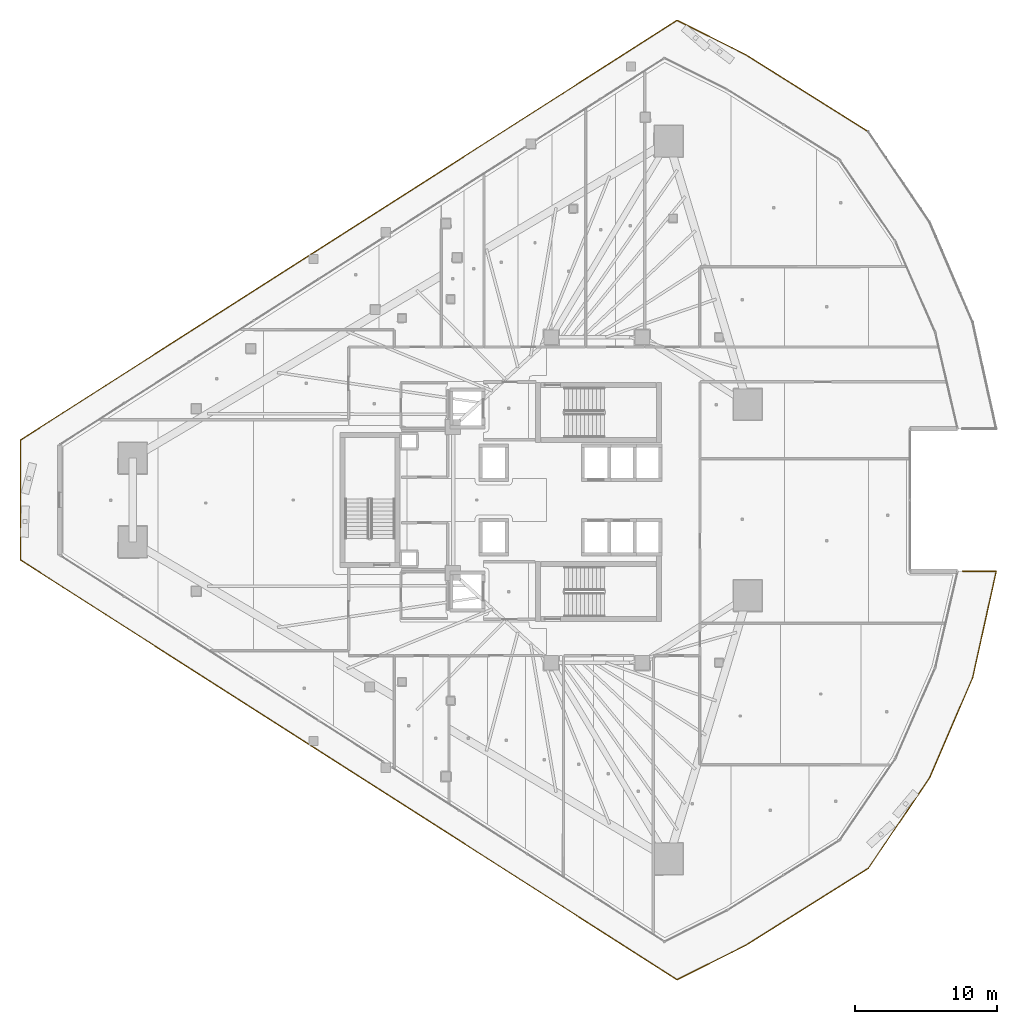
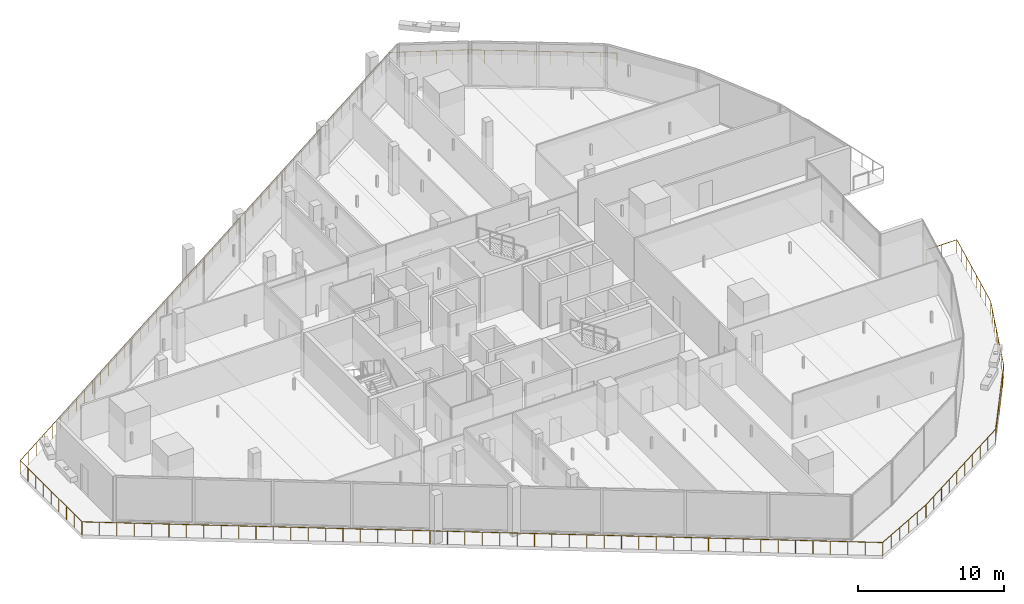
# One storey, part 41 of 45: 1 railing.
"""IFC4 building model written with IfcOpenShell, lengths in metres."""

from ifc_helpers import new_model, si_unit, direction, frame, origin, origin_2d, place, context, subcontext, project, spatial, circle, extrude, material, type_object, element, save


model = new_model("IFC4")

# Units and contexts
model_context = context("Model", 3, precision=1e-05, world=origin(), true_north=direction((0.0, 1.0)))
body_context = subcontext(model_context, "Body", "Model", "MODEL_VIEW")
ifc_project = project(units=[si_unit("LENGTHUNIT", "METRE"), si_unit("AREAUNIT", "SQUARE_METRE"), si_unit("VOLUMEUNIT", "CUBIC_METRE"), si_unit("PLANEANGLEUNIT", "RADIAN"), si_unit("MASSUNIT", "GRAM", prefix="KILO")], contexts=[model_context])

# Site, building, storey
site_placement = place(None, origin())
site = spatial("IfcSite", under=ifc_project, at=site_placement, CompositionType="ELEMENT")
building_placement = place(site_placement, origin())
building = spatial("IfcBuilding", under=site, at=building_placement, Name="Qorvath Tower", CompositionType="ELEMENT")
storey_placement = place(building_placement, frame((0.0, 0.0, 109.800048828125)))
storey = spatial("IfcBuildingStorey", under=building, at=storey_placement, Name="L24", CompositionType="ELEMENT", Elevation=109.800048828125)

# Railing
ifc_material = material(Name="Laminated safety glass and stainless steel AISI 316", Category="steel")
railing_type = type_object("IfcRailingType", Name="RL-EXT-GRD", PredefinedType="GUARDRAIL", material=ifc_material)
railing_placement = place(storey_placement, frame((5.339111328125, -5.01123046875, 0.0)))
element("IfcRailing", 1, at=railing_placement, inside=storey, type_object=railing_type, Name="Loggia Perimeter Guardrail L24-1.2", PredefinedType="GUARDRAIL", context=body_context, shape_type="SweptSolid", body=[
    extrude(circle(Radius=0.02392578125, at=origin_2d()), frame((0.0, 0.0, 1.09619140625), z_axis=(1.0, 0.0, 0.0), x_axis=(0.0, 1.0, 0.0)), (0.0, 0.0, 1.0), 2.366455078125),
    extrude(circle(Radius=0.02392578125, at=origin_2d()), frame((2.366455078125, 0.0, 1.09619140625), z_axis=(-0.216088212472, -0.976373844606, 0.0), x_axis=(0.976373844606, -0.216088212472, 0.0)), (0.0, 0.0, 1.0), 7.673828125),
    extrude(circle(Radius=0.02392578125, at=origin_2d()), frame((0.708251953125, -7.492431640625, 1.09619140625), z_axis=(-0.395466178511, -0.918480539616, 0.0), x_axis=(0.918480539616, -0.395466178511, 0.0)), (0.0, 0.0, 1.0), 7.673583984375),
    extrude(circle(Radius=0.02392578125, at=origin_2d()), frame((-2.326416015625, -14.54052734375, 1.09619140625), z_axis=(-0.560822820527, -0.827935845326, 0.0), x_axis=(0.827935845326, -0.560822820527, 0.0)), (0.0, 0.0, 1.0), 7.673828125),
    extrude(circle(Radius=0.02392578125, at=origin_2d()), frame((-6.630126953125, -20.89404296875, 1.09619140625), z_axis=(-0.84650840293, -0.532375359844, 0.0), x_axis=(0.532375359844, -0.84650840293, 0.0)), (0.0, 0.0, 1.0), 10.20458984375),
    extrude(circle(Radius=0.02392578125, at=origin_2d()), frame((-15.268310546875, -26.32666015625, 1.09619140625), z_axis=(-0.894427191, -0.4472135955, 0.0), x_axis=(0.4472135955, -0.894427191, 0.0)), (0.0, 0.0, 1.0), 5.390380859375),
    extrude(circle(Radius=0.02392578125, at=origin_2d()), frame((-20.089599609375, -28.7373046875, 1.09619140625), z_axis=(-0.84260349441, 0.53853444756, 0.0), x_axis=(-0.53853444756, -0.84260349441, 0.0)), (0.0, 0.0, 1.0), 54.833984375),
    extrude(circle(Radius=0.02392578125, at=origin_2d()), frame((-66.29296875, 0.792724609375, 1.09619140625), z_axis=(0.0, 1.0, 0.0), x_axis=(-1.0, 0.0, 0.0)), (0.0, 0.0, 1.0), 8.43701171875),
    extrude(circle(Radius=0.02392578125, at=origin_2d()), frame((-66.29296875, 9.229736328125, 1.09619140625), z_axis=(0.84260349441, 0.53853444756, 0.0), x_axis=(-0.53853444756, 0.84260349441, 0.0)), (0.0, 0.0, 1.0), 54.833984375),
    extrude(circle(Radius=0.02392578125, at=origin_2d()), frame((-20.089599609375, 38.759765625, 1.09619140625), z_axis=(0.894427191, -0.4472135955, 0.0), x_axis=(0.4472135955, 0.894427191, 0.0)), (0.0, 0.0, 1.0), 5.390380859375),
    extrude(circle(Radius=0.02392578125, at=origin_2d()), frame((-15.268310546875, 36.34912109375, 1.09619140625), z_axis=(0.84650840293, -0.532375359844, 0.0), x_axis=(0.532375359844, 0.84650840293, 0.0)), (0.0, 0.0, 1.0), 10.20458984375),
    extrude(circle(Radius=0.02099609375, at=origin_2d()), origin(), (0.0, 0.0, 1.0), 1.072021484375),
    extrude(circle(Radius=0.02099609375, at=origin_2d()), frame((1.18310546875, 0.0, 0.0)), (0.0, 0.0, 1.0), 1.072021484375),
    extrude(circle(Radius=0.02099609375, at=origin_2d()), frame((2.366455078125, 0.0, 0.0)), (0.0, 0.0, 1.0), 1.072021484375),
    extrude(circle(Radius=0.02099609375, at=origin_2d()), frame((2.129638671875, -1.0703125, 0.0)), (0.0, 0.0, 1.0), 1.072021484375),
    extrude(circle(Radius=0.02099609375, at=origin_2d()), frame((1.892578125, -2.140625, 0.0)), (0.0, 0.0, 1.0), 1.072021484375),
    extrude(circle(Radius=0.02099609375, at=origin_2d()), frame((1.65576171875, -3.2109375, 0.0)), (0.0, 0.0, 1.0), 1.072021484375),
    extrude(circle(Radius=0.02099609375, at=origin_2d()), frame((1.4189453125, -4.281494140625, 0.0)), (0.0, 0.0, 1.0), 1.072021484375),
    extrude(circle(Radius=0.02099609375, at=origin_2d()), frame((1.18212890625, -5.351806640625, 0.0)), (0.0, 0.0, 1.0), 1.072021484375),
    extrude(circle(Radius=0.02099609375, at=origin_2d()), frame((0.945068359375, -6.422119140625, 0.0)), (0.0, 0.0, 1.0), 1.072021484375),
    extrude(circle(Radius=0.02099609375, at=origin_2d()), frame((0.708251953125, -7.492431640625, 0.0)), (0.0, 0.0, 1.0), 1.072021484375),
    extrude(circle(Radius=0.02099609375, at=origin_2d()), frame((0.274658203125, -8.499267578125, 0.0)), (0.0, 0.0, 1.0), 1.072021484375),
    extrude(circle(Radius=0.02099609375, at=origin_2d()), frame((-0.15869140625, -9.506103515625, 0.0)), (0.0, 0.0, 1.0), 1.072021484375),
    extrude(circle(Radius=0.02099609375, at=origin_2d()), frame((-0.59228515625, -10.512939453125, 0.0)), (0.0, 0.0, 1.0), 1.072021484375),
    extrude(circle(Radius=0.02099609375, at=origin_2d()), frame((-1.02587890625, -11.52001953125, 0.0)), (0.0, 0.0, 1.0), 1.072021484375),
    extrude(circle(Radius=0.02099609375, at=origin_2d()), frame((-1.45947265625, -12.52685546875, 0.0)), (0.0, 0.0, 1.0), 1.072021484375),
    extrude(circle(Radius=0.02099609375, at=origin_2d()), frame((-1.892822265625, -13.53369140625, 0.0)), (0.0, 0.0, 1.0), 1.072021484375),
    extrude(circle(Radius=0.02099609375, at=origin_2d()), frame((-2.326416015625, -14.54052734375, 0.0)), (0.0, 0.0, 1.0), 1.072021484375),
    extrude(circle(Radius=0.02099609375, at=origin_2d()), frame((-2.941162109375, -15.4482421875, 0.0)), (0.0, 0.0, 1.0), 1.072021484375),
    extrude(circle(Radius=0.02099609375, at=origin_2d()), frame((-3.55615234375, -16.355712890625, 0.0)), (0.0, 0.0, 1.0), 1.072021484375),
    extrude(circle(Radius=0.02099609375, at=origin_2d()), frame((-4.1708984375, -17.263427734375, 0.0)), (0.0, 0.0, 1.0), 1.072021484375),
    extrude(circle(Radius=0.02099609375, at=origin_2d()), frame((-4.78564453125, -18.171142578125, 0.0)), (0.0, 0.0, 1.0), 1.072021484375),
    extrude(circle(Radius=0.02099609375, at=origin_2d()), frame((-5.400390625, -19.078857421875, 0.0)), (0.0, 0.0, 1.0), 1.072021484375),
    extrude(circle(Radius=0.02099609375, at=origin_2d()), frame((-6.015380859375, -19.986328125, 0.0)), (0.0, 0.0, 1.0), 1.072021484375),
    extrude(circle(Radius=0.02099609375, at=origin_2d()), frame((-6.630126953125, -20.89404296875, 0.0)), (0.0, 0.0, 1.0), 1.072021484375),
    extrude(circle(Radius=0.02099609375, at=origin_2d()), frame((-7.58984375, -21.49755859375, 0.0)), (0.0, 0.0, 1.0), 1.072021484375),
    extrude(circle(Radius=0.02099609375, at=origin_2d()), frame((-8.5498046875, -22.101318359375, 0.0)), (0.0, 0.0, 1.0), 1.072021484375),
    extrude(circle(Radius=0.02099609375, at=origin_2d()), frame((-9.509521484375, -22.704833984375, 0.0)), (0.0, 0.0, 1.0), 1.072021484375),
    extrude(circle(Radius=0.02099609375, at=origin_2d()), frame((-10.46923828125, -23.30859375, 0.0)), (0.0, 0.0, 1.0), 1.072021484375),
    extrude(circle(Radius=0.02099609375, at=origin_2d()), frame((-11.42919921875, -23.912109375, 0.0)), (0.0, 0.0, 1.0), 1.072021484375),
    extrude(circle(Radius=0.02099609375, at=origin_2d()), frame((-12.388916015625, -24.515869140625, 0.0)), (0.0, 0.0, 1.0), 1.072021484375),
    extrude(circle(Radius=0.02099609375, at=origin_2d()), frame((-13.3486328125, -25.119384765625, 0.0)), (0.0, 0.0, 1.0), 1.072021484375),
    extrude(circle(Radius=0.02099609375, at=origin_2d()), frame((-14.30859375, -25.72314453125, 0.0)), (0.0, 0.0, 1.0), 1.072021484375),
    extrude(circle(Radius=0.02099609375, at=origin_2d()), frame((-15.268310546875, -26.32666015625, 0.0)), (0.0, 0.0, 1.0), 1.072021484375),
    extrude(circle(Radius=0.02099609375, at=origin_2d()), frame((-16.232666015625, -26.808837890625, 0.0)), (0.0, 0.0, 1.0), 1.072021484375),
    extrude(circle(Radius=0.02099609375, at=origin_2d()), frame((-17.19677734375, -27.291015625, 0.0)), (0.0, 0.0, 1.0), 1.072021484375),
    extrude(circle(Radius=0.02099609375, at=origin_2d()), frame((-18.1611328125, -27.77294921875, 0.0)), (0.0, 0.0, 1.0), 1.072021484375),
    extrude(circle(Radius=0.02099609375, at=origin_2d()), frame((-19.125244140625, -28.255126953125, 0.0)), (0.0, 0.0, 1.0), 1.072021484375),
    extrude(circle(Radius=0.02099609375, at=origin_2d()), frame((-20.089599609375, -28.7373046875, 0.0)), (0.0, 0.0, 1.0), 1.072021484375),
    extrude(circle(Radius=0.02099609375, at=origin_2d()), frame((-21.093994140625, -28.095458984375, 0.0)), (0.0, 0.0, 1.0), 1.072021484375),
    extrude(circle(Radius=0.02099609375, at=origin_2d()), frame((-22.098388671875, -27.453369140625, 0.0)), (0.0, 0.0, 1.0), 1.072021484375),
    extrude(circle(Radius=0.02099609375, at=origin_2d()), frame((-23.102783203125, -26.8115234375, 0.0)), (0.0, 0.0, 1.0), 1.072021484375),
    extrude(circle(Radius=0.02099609375, at=origin_2d()), frame((-24.107177734375, -26.16943359375, 0.0)), (0.0, 0.0, 1.0), 1.072021484375),
    extrude(circle(Radius=0.02099609375, at=origin_2d()), frame((-25.11181640625, -25.527587890625, 0.0)), (0.0, 0.0, 1.0), 1.072021484375),
    extrude(circle(Radius=0.02099609375, at=origin_2d()), frame((-26.1162109375, -24.885498046875, 0.0)), (0.0, 0.0, 1.0), 1.072021484375),
    extrude(circle(Radius=0.02099609375, at=origin_2d()), frame((-27.12060546875, -24.24365234375, 0.0)), (0.0, 0.0, 1.0), 1.072021484375),
    extrude(circle(Radius=0.02099609375, at=origin_2d()), frame((-28.125, -23.6015625, 0.0)), (0.0, 0.0, 1.0), 1.072021484375),
    extrude(circle(Radius=0.02099609375, at=origin_2d()), frame((-29.12939453125, -22.959716796875, 0.0)), (0.0, 0.0, 1.0), 1.072021484375),
    extrude(circle(Radius=0.02099609375, at=origin_2d()), frame((-30.1337890625, -22.317626953125, 0.0)), (0.0, 0.0, 1.0), 1.072021484375),
    extrude(circle(Radius=0.02099609375, at=origin_2d()), frame((-31.13818359375, -21.67578125, 0.0)), (0.0, 0.0, 1.0), 1.072021484375),
    extrude(circle(Radius=0.02099609375, at=origin_2d()), frame((-32.142578125, -21.033935546875, 0.0)), (0.0, 0.0, 1.0), 1.072021484375),
    extrude(circle(Radius=0.02099609375, at=origin_2d()), frame((-33.14697265625, -20.391845703125, 0.0)), (0.0, 0.0, 1.0), 1.072021484375),
    extrude(circle(Radius=0.02099609375, at=origin_2d()), frame((-34.151611328125, -19.75, 0.0)), (0.0, 0.0, 1.0), 1.072021484375),
    extrude(circle(Radius=0.02099609375, at=origin_2d()), frame((-35.156005859375, -19.10791015625, 0.0)), (0.0, 0.0, 1.0), 1.072021484375),
    extrude(circle(Radius=0.02099609375, at=origin_2d()), frame((-36.160400390625, -18.466064453125, 0.0)), (0.0, 0.0, 1.0), 1.072021484375),
    extrude(circle(Radius=0.02099609375, at=origin_2d()), frame((-37.164794921875, -17.823974609375, 0.0)), (0.0, 0.0, 1.0), 1.072021484375),
    extrude(circle(Radius=0.02099609375, at=origin_2d()), frame((-38.169189453125, -17.18212890625, 0.0)), (0.0, 0.0, 1.0), 1.072021484375),
    extrude(circle(Radius=0.02099609375, at=origin_2d()), frame((-39.173583984375, -16.5400390625, 0.0)), (0.0, 0.0, 1.0), 1.072021484375),
    extrude(circle(Radius=0.02099609375, at=origin_2d()), frame((-40.177978515625, -15.898193359375, 0.0)), (0.0, 0.0, 1.0), 1.072021484375),
    extrude(circle(Radius=0.02099609375, at=origin_2d()), frame((-41.182373046875, -15.256103515625, 0.0)), (0.0, 0.0, 1.0), 1.072021484375),
    extrude(circle(Radius=0.02099609375, at=origin_2d()), frame((-42.186767578125, -14.6142578125, 0.0)), (0.0, 0.0, 1.0), 1.072021484375),
    extrude(circle(Radius=0.02099609375, at=origin_2d()), frame((-43.19140625, -13.97216796875, 0.0)), (0.0, 0.0, 1.0), 1.072021484375),
    extrude(circle(Radius=0.02099609375, at=origin_2d()), frame((-44.19580078125, -13.330322265625, 0.0)), (0.0, 0.0, 1.0), 1.072021484375),
    extrude(circle(Radius=0.02099609375, at=origin_2d()), frame((-45.2001953125, -12.6884765625, 0.0)), (0.0, 0.0, 1.0), 1.072021484375),
    extrude(circle(Radius=0.02099609375, at=origin_2d()), frame((-46.20458984375, -12.04638671875, 0.0)), (0.0, 0.0, 1.0), 1.072021484375),
    extrude(circle(Radius=0.02099609375, at=origin_2d()), frame((-47.208984375, -11.404541015625, 0.0)), (0.0, 0.0, 1.0), 1.072021484375),
    extrude(circle(Radius=0.02099609375, at=origin_2d()), frame((-48.21337890625, -10.762451171875, 0.0)), (0.0, 0.0, 1.0), 1.072021484375),
    extrude(circle(Radius=0.02099609375, at=origin_2d()), frame((-49.2177734375, -10.12060546875, 0.0)), (0.0, 0.0, 1.0), 1.072021484375),
    extrude(circle(Radius=0.02099609375, at=origin_2d()), frame((-50.22216796875, -9.478515625, 0.0)), (0.0, 0.0, 1.0), 1.072021484375),
    extrude(circle(Radius=0.02099609375, at=origin_2d()), frame((-51.2265625, -8.836669921875, 0.0)), (0.0, 0.0, 1.0), 1.072021484375),
    extrude(circle(Radius=0.02099609375, at=origin_2d()), frame((-52.23095703125, -8.194580078125, 0.0)), (0.0, 0.0, 1.0), 1.072021484375),
    extrude(circle(Radius=0.02099609375, at=origin_2d()), frame((-53.235595703125, -7.552734375, 0.0)), (0.0, 0.0, 1.0), 1.072021484375),
    extrude(circle(Radius=0.02099609375, at=origin_2d()), frame((-54.239990234375, -6.91064453125, 0.0)), (0.0, 0.0, 1.0), 1.072021484375),
    extrude(circle(Radius=0.02099609375, at=origin_2d()), frame((-55.244384765625, -6.268798828125, 0.0)), (0.0, 0.0, 1.0), 1.072021484375),
    extrude(circle(Radius=0.02099609375, at=origin_2d()), frame((-56.248779296875, -5.626953125, 0.0)), (0.0, 0.0, 1.0), 1.072021484375),
    extrude(circle(Radius=0.02099609375, at=origin_2d()), frame((-57.253173828125, -4.98486328125, 0.0)), (0.0, 0.0, 1.0), 1.072021484375),
    extrude(circle(Radius=0.02099609375, at=origin_2d()), frame((-58.257568359375, -4.343017578125, 0.0)), (0.0, 0.0, 1.0), 1.072021484375),
    extrude(circle(Radius=0.02099609375, at=origin_2d()), frame((-59.261962890625, -3.700927734375, 0.0)), (0.0, 0.0, 1.0), 1.072021484375),
    extrude(circle(Radius=0.02099609375, at=origin_2d()), frame((-60.266357421875, -3.05908203125, 0.0)), (0.0, 0.0, 1.0), 1.072021484375),
    extrude(circle(Radius=0.02099609375, at=origin_2d()), frame((-61.270751953125, -2.4169921875, 0.0)), (0.0, 0.0, 1.0), 1.072021484375),
    extrude(circle(Radius=0.02099609375, at=origin_2d()), frame((-62.275390625, -1.775146484375, 0.0)), (0.0, 0.0, 1.0), 1.072021484375),
    extrude(circle(Radius=0.02099609375, at=origin_2d()), frame((-63.27978515625, -1.133056640625, 0.0)), (0.0, 0.0, 1.0), 1.072021484375),
    extrude(circle(Radius=0.02099609375, at=origin_2d()), frame((-64.2841796875, -0.4912109375, 0.0)), (0.0, 0.0, 1.0), 1.072021484375),
    extrude(circle(Radius=0.02099609375, at=origin_2d()), frame((-65.28857421875, 0.15087890625, 0.0)), (0.0, 0.0, 1.0), 1.072021484375),
    extrude(circle(Radius=0.02099609375, at=origin_2d()), frame((-66.29296875, 0.792724609375, 0.0)), (0.0, 0.0, 1.0), 1.072021484375),
    extrude(circle(Radius=0.02099609375, at=origin_2d()), frame((-66.29296875, 1.847412109375, 0.0)), (0.0, 0.0, 1.0), 1.072021484375),
    extrude(circle(Radius=0.02099609375, at=origin_2d()), frame((-66.29296875, 2.90185546875, 0.0)), (0.0, 0.0, 1.0), 1.072021484375),
    extrude(circle(Radius=0.02099609375, at=origin_2d()), frame((-66.29296875, 3.95654296875, 0.0)), (0.0, 0.0, 1.0), 1.072021484375),
    extrude(circle(Radius=0.02099609375, at=origin_2d()), frame((-66.29296875, 5.01123046875, 0.0)), (0.0, 0.0, 1.0), 1.072021484375),
    extrude(circle(Radius=0.02099609375, at=origin_2d()), frame((-66.29296875, 6.06591796875, 0.0)), (0.0, 0.0, 1.0), 1.072021484375),
    extrude(circle(Radius=0.02099609375, at=origin_2d()), frame((-66.29296875, 7.12060546875, 0.0)), (0.0, 0.0, 1.0), 1.072021484375),
    extrude(circle(Radius=0.02099609375, at=origin_2d()), frame((-66.29296875, 8.175048828125, 0.0)), (0.0, 0.0, 1.0), 1.072021484375),
    extrude(circle(Radius=0.02099609375, at=origin_2d()), frame((-66.29296875, 9.229736328125, 0.0)), (0.0, 0.0, 1.0), 1.072021484375),
    extrude(circle(Radius=0.02099609375, at=origin_2d()), frame((-65.28857421875, 9.87158203125, 0.0)), (0.0, 0.0, 1.0), 1.072021484375),
    extrude(circle(Radius=0.02099609375, at=origin_2d()), frame((-64.2841796875, 10.513671875, 0.0)), (0.0, 0.0, 1.0), 1.072021484375),
    extrude(circle(Radius=0.02099609375, at=origin_2d()), frame((-63.27978515625, 11.155517578125, 0.0)), (0.0, 0.0, 1.0), 1.072021484375),
    extrude(circle(Radius=0.02099609375, at=origin_2d()), frame((-62.275390625, 11.797607421875, 0.0)), (0.0, 0.0, 1.0), 1.072021484375),
    extrude(circle(Radius=0.02099609375, at=origin_2d()), frame((-61.270751953125, 12.439453125, 0.0)), (0.0, 0.0, 1.0), 1.072021484375),
    extrude(circle(Radius=0.02099609375, at=origin_2d()), frame((-60.266357421875, 13.08154296875, 0.0)), (0.0, 0.0, 1.0), 1.072021484375),
    extrude(circle(Radius=0.02099609375, at=origin_2d()), frame((-59.261962890625, 13.723388671875, 0.0)), (0.0, 0.0, 1.0), 1.072021484375),
    extrude(circle(Radius=0.02099609375, at=origin_2d()), frame((-58.257568359375, 14.365478515625, 0.0)), (0.0, 0.0, 1.0), 1.072021484375),
    extrude(circle(Radius=0.02099609375, at=origin_2d()), frame((-57.253173828125, 15.00732421875, 0.0)), (0.0, 0.0, 1.0), 1.072021484375),
    extrude(circle(Radius=0.02099609375, at=origin_2d()), frame((-56.248779296875, 15.6494140625, 0.0)), (0.0, 0.0, 1.0), 1.072021484375),
    extrude(circle(Radius=0.02099609375, at=origin_2d()), frame((-55.244384765625, 16.291259765625, 0.0)), (0.0, 0.0, 1.0), 1.072021484375),
    extrude(circle(Radius=0.02099609375, at=origin_2d()), frame((-54.239990234375, 16.93310546875, 0.0)), (0.0, 0.0, 1.0), 1.072021484375),
    extrude(circle(Radius=0.02099609375, at=origin_2d()), frame((-53.235595703125, 17.5751953125, 0.0)), (0.0, 0.0, 1.0), 1.072021484375),
    extrude(circle(Radius=0.02099609375, at=origin_2d()), frame((-52.23095703125, 18.217041015625, 0.0)), (0.0, 0.0, 1.0), 1.072021484375),
    extrude(circle(Radius=0.02099609375, at=origin_2d()), frame((-51.2265625, 18.859130859375, 0.0)), (0.0, 0.0, 1.0), 1.072021484375),
    extrude(circle(Radius=0.02099609375, at=origin_2d()), frame((-50.22216796875, 19.5009765625, 0.0)), (0.0, 0.0, 1.0), 1.072021484375),
    extrude(circle(Radius=0.02099609375, at=origin_2d()), frame((-49.2177734375, 20.14306640625, 0.0)), (0.0, 0.0, 1.0), 1.072021484375),
    extrude(circle(Radius=0.02099609375, at=origin_2d()), frame((-48.21337890625, 20.784912109375, 0.0)), (0.0, 0.0, 1.0), 1.072021484375),
    extrude(circle(Radius=0.02099609375, at=origin_2d()), frame((-47.208984375, 21.427001953125, 0.0)), (0.0, 0.0, 1.0), 1.072021484375),
    extrude(circle(Radius=0.02099609375, at=origin_2d()), frame((-46.20458984375, 22.06884765625, 0.0)), (0.0, 0.0, 1.0), 1.072021484375),
    extrude(circle(Radius=0.02099609375, at=origin_2d()), frame((-45.2001953125, 22.7109375, 0.0)), (0.0, 0.0, 1.0), 1.072021484375),
    extrude(circle(Radius=0.02099609375, at=origin_2d()), frame((-44.19580078125, 23.352783203125, 0.0)), (0.0, 0.0, 1.0), 1.072021484375),
    extrude(circle(Radius=0.02099609375, at=origin_2d()), frame((-43.19140625, 23.99462890625, 0.0)), (0.0, 0.0, 1.0), 1.072021484375),
    extrude(circle(Radius=0.02099609375, at=origin_2d()), frame((-42.186767578125, 24.63671875, 0.0)), (0.0, 0.0, 1.0), 1.072021484375),
    extrude(circle(Radius=0.02099609375, at=origin_2d()), frame((-41.182373046875, 25.278564453125, 0.0)), (0.0, 0.0, 1.0), 1.072021484375),
    extrude(circle(Radius=0.02099609375, at=origin_2d()), frame((-40.177978515625, 25.920654296875, 0.0)), (0.0, 0.0, 1.0), 1.072021484375),
    extrude(circle(Radius=0.02099609375, at=origin_2d()), frame((-39.173583984375, 26.5625, 0.0)), (0.0, 0.0, 1.0), 1.072021484375),
    extrude(circle(Radius=0.02099609375, at=origin_2d()), frame((-38.169189453125, 27.20458984375, 0.0)), (0.0, 0.0, 1.0), 1.072021484375),
    extrude(circle(Radius=0.02099609375, at=origin_2d()), frame((-37.164794921875, 27.846435546875, 0.0)), (0.0, 0.0, 1.0), 1.072021484375),
    extrude(circle(Radius=0.02099609375, at=origin_2d()), frame((-36.160400390625, 28.488525390625, 0.0)), (0.0, 0.0, 1.0), 1.072021484375),
    extrude(circle(Radius=0.02099609375, at=origin_2d()), frame((-35.156005859375, 29.13037109375, 0.0)), (0.0, 0.0, 1.0), 1.072021484375),
    extrude(circle(Radius=0.02099609375, at=origin_2d()), frame((-34.151611328125, 29.7724609375, 0.0)), (0.0, 0.0, 1.0), 1.072021484375),
    extrude(circle(Radius=0.02099609375, at=origin_2d()), frame((-33.14697265625, 30.414306640625, 0.0)), (0.0, 0.0, 1.0), 1.072021484375),
    extrude(circle(Radius=0.02099609375, at=origin_2d()), frame((-32.142578125, 31.056396484375, 0.0)), (0.0, 0.0, 1.0), 1.072021484375),
    extrude(circle(Radius=0.02099609375, at=origin_2d()), frame((-31.13818359375, 31.6982421875, 0.0)), (0.0, 0.0, 1.0), 1.072021484375),
    extrude(circle(Radius=0.02099609375, at=origin_2d()), frame((-30.1337890625, 32.340087890625, 0.0)), (0.0, 0.0, 1.0), 1.072021484375),
    extrude(circle(Radius=0.02099609375, at=origin_2d()), frame((-29.12939453125, 32.982177734375, 0.0)), (0.0, 0.0, 1.0), 1.072021484375),
    extrude(circle(Radius=0.02099609375, at=origin_2d()), frame((-28.125, 33.6240234375, 0.0)), (0.0, 0.0, 1.0), 1.072021484375),
    extrude(circle(Radius=0.02099609375, at=origin_2d()), frame((-27.12060546875, 34.26611328125, 0.0)), (0.0, 0.0, 1.0), 1.072021484375),
    extrude(circle(Radius=0.02099609375, at=origin_2d()), frame((-26.1162109375, 34.907958984375, 0.0)), (0.0, 0.0, 1.0), 1.072021484375),
    extrude(circle(Radius=0.02099609375, at=origin_2d()), frame((-25.11181640625, 35.550048828125, 0.0)), (0.0, 0.0, 1.0), 1.072021484375),
    extrude(circle(Radius=0.02099609375, at=origin_2d()), frame((-24.107177734375, 36.19189453125, 0.0)), (0.0, 0.0, 1.0), 1.072021484375),
    extrude(circle(Radius=0.02099609375, at=origin_2d()), frame((-23.102783203125, 36.833984375, 0.0)), (0.0, 0.0, 1.0), 1.072021484375),
    extrude(circle(Radius=0.02099609375, at=origin_2d()), frame((-22.098388671875, 37.475830078125, 0.0)), (0.0, 0.0, 1.0), 1.072021484375),
    extrude(circle(Radius=0.02099609375, at=origin_2d()), frame((-21.093994140625, 38.117919921875, 0.0)), (0.0, 0.0, 1.0), 1.072021484375),
    extrude(circle(Radius=0.02099609375, at=origin_2d()), frame((-20.089599609375, 38.759765625, 0.0)), (0.0, 0.0, 1.0), 1.072021484375),
    extrude(circle(Radius=0.02099609375, at=origin_2d()), frame((-19.125244140625, 38.277587890625, 0.0)), (0.0, 0.0, 1.0), 1.072021484375),
    extrude(circle(Radius=0.02099609375, at=origin_2d()), frame((-18.1611328125, 37.79541015625, 0.0)), (0.0, 0.0, 1.0), 1.072021484375),
    extrude(circle(Radius=0.02099609375, at=origin_2d()), frame((-17.19677734375, 37.3134765625, 0.0)), (0.0, 0.0, 1.0), 1.072021484375),
    extrude(circle(Radius=0.02099609375, at=origin_2d()), frame((-16.232666015625, 36.831298828125, 0.0)), (0.0, 0.0, 1.0), 1.072021484375),
    extrude(circle(Radius=0.02099609375, at=origin_2d()), frame((-15.268310546875, 36.34912109375, 0.0)), (0.0, 0.0, 1.0), 1.072021484375),
    extrude(circle(Radius=0.02099609375, at=origin_2d()), frame((-14.30859375, 35.74560546875, 0.0)), (0.0, 0.0, 1.0), 1.072021484375),
    extrude(circle(Radius=0.02099609375, at=origin_2d()), frame((-13.3486328125, 35.141845703125, 0.0)), (0.0, 0.0, 1.0), 1.072021484375),
    extrude(circle(Radius=0.02099609375, at=origin_2d()), frame((-12.388916015625, 34.538330078125, 0.0)), (0.0, 0.0, 1.0), 1.072021484375),
    extrude(circle(Radius=0.02099609375, at=origin_2d()), frame((-11.42919921875, 33.9345703125, 0.0)), (0.0, 0.0, 1.0), 1.072021484375),
    extrude(circle(Radius=0.02099609375, at=origin_2d()), frame((-10.46923828125, 33.3310546875, 0.0)), (0.0, 0.0, 1.0), 1.072021484375),
    extrude(circle(Radius=0.02099609375, at=origin_2d()), frame((-9.509521484375, 32.727294921875, 0.0)), (0.0, 0.0, 1.0), 1.072021484375),
    extrude(circle(Radius=0.02099609375, at=origin_2d()), frame((-8.5498046875, 32.123779296875, 0.0)), (0.0, 0.0, 1.0), 1.072021484375),
    extrude(circle(Radius=0.02099609375, at=origin_2d()), frame((-7.58984375, 31.52001953125, 0.0)), (0.0, 0.0, 1.0), 1.072021484375),
    extrude(circle(Radius=0.02099609375, at=origin_2d()), frame((-6.630126953125, 30.91650390625, 0.0)), (0.0, 0.0, 1.0), 1.072021484375),
])

save(model, "model.ifc")
